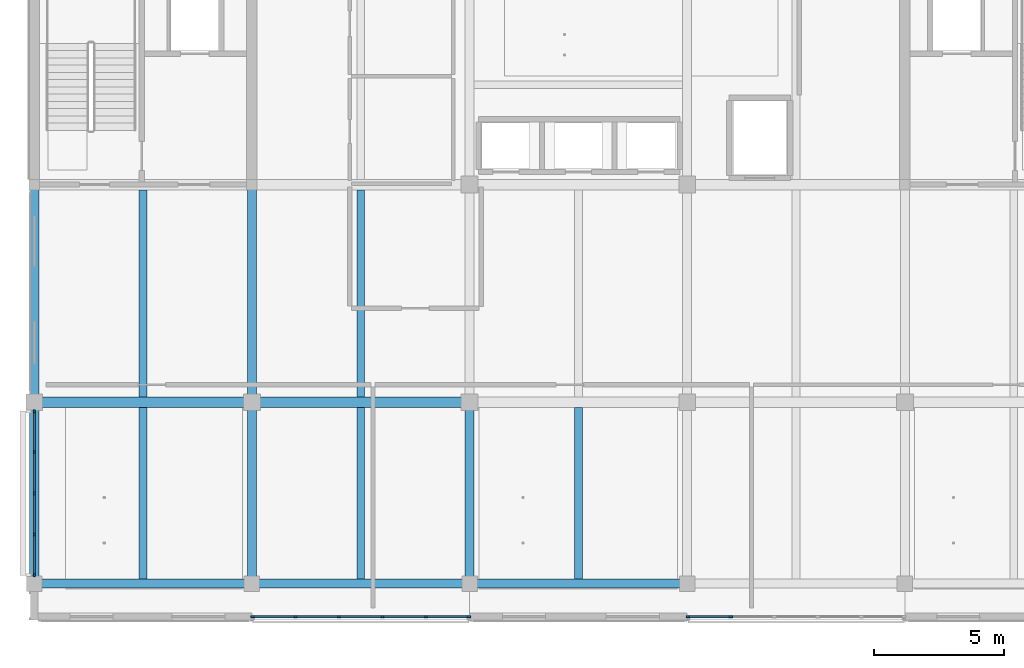
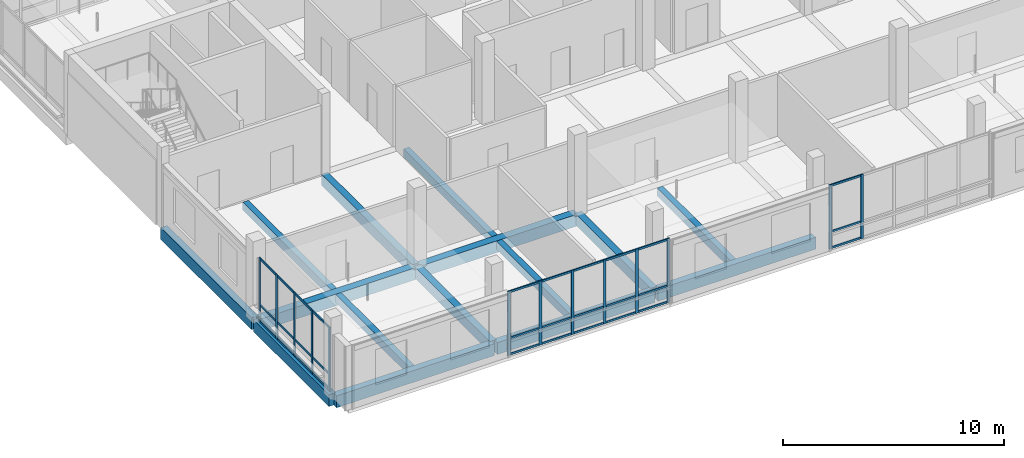
# One storey, part 2 of 29: 43 members, 15 beams, 3 elements without a shape of their own.
"""IFC4 building model written with IfcOpenShell, lengths in metres."""

from ifc_helpers import new_model, si_unit, direction, frame, origin, origin_2d, place, context, subcontext, project, spatial, rectangle, extrude, material, layer, layer_set, material_profile, profile_set, type_object, element, aggregate, save


model = new_model("IFC4")

# Units and contexts
model_context = context("Model", 3, precision=1e-05, world=origin(), true_north=direction((0.0, 1.0)))
body_context = subcontext(model_context, "Body", "Model", "MODEL_VIEW")
ifc_project = project(units=[si_unit("LENGTHUNIT", "METRE"), si_unit("AREAUNIT", "SQUARE_METRE"), si_unit("VOLUMEUNIT", "CUBIC_METRE"), si_unit("PLANEANGLEUNIT", "RADIAN"), si_unit("MASSUNIT", "GRAM", prefix="KILO")], contexts=[model_context])

# Site, building, storey
site_placement = place(None, origin())
site = spatial("IfcSite", under=ifc_project, at=site_placement, CompositionType="ELEMENT")
building_placement = place(site_placement, origin())
building = spatial("IfcBuilding", under=site, at=building_placement, Name="Telukmera Botanical Conservatory", CompositionType="ELEMENT")
storey_placement = place(building_placement, frame((0.0, 0.0, 55.5)))
storey = spatial("IfcBuildingStorey", under=building, at=storey_placement, Name="L12", CompositionType="ELEMENT", Elevation=55.5)

# Beams
ifc_material_1 = material(Name="Concrete C40/50", Category="concrete")
ifc_material_profile_1 = material_profile(ifc_material_1, rectangle(XDim=0.300048828125, YDim=0.449951171875, at=origin_2d()), Name="RC 300x450")
ifc_profile_set_1 = profile_set([ifc_material_profile_1], Name="Concrete C40/50")
beam_type_1 = type_object("IfcBeamType", Name="Beam_B25", PredefinedType="JOIST", material=ifc_profile_set_1)
beam_1_placement = place(storey_placement, frame((63.0, 10.77490234375, -0.22509765625), z_axis=(0.0, 1.0, 0.0), x_axis=(-1.0, 0.0, 0.0)))
element("IfcBeam", 1, at=beam_1_placement, inside=storey, type_object=beam_type_1, Name="Tower Secondary Floor Joist L12", PredefinedType="JOIST", context=body_context, shape_type="SweptSolid", body=[
    extrude(rectangle(XDim=0.300048828125, YDim=0.449951171875, at=origin_2d()), origin(), (0.0, 0.0, 1.0), 6.625),
])
beam_2_placement = place(storey_placement, frame((63.0, 17.800048828125, -0.22509765625), z_axis=(0.0, 1.0, 0.0), x_axis=(-1.0, 0.0, 0.0)))
element("IfcBeam", 2, at=beam_2_placement, inside=storey, type_object=beam_type_1, Name="Tower Secondary Floor Joist L12", PredefinedType="JOIST", context=body_context, shape_type="SweptSolid", body=[
    extrude(rectangle(XDim=0.300048828125, YDim=0.449951171875, at=origin_2d()), origin(), (0.0, 0.0, 1.0), 8.0),
])
beam_3_placement = place(storey_placement, frame((71.39990234375, 10.77490234375, -0.22509765625), z_axis=(0.0, 1.0, 0.0), x_axis=(-1.0, 0.0, 0.0)))
element("IfcBeam", 3, at=beam_3_placement, inside=storey, type_object=beam_type_1, Name="Tower Secondary Floor Joist L12", PredefinedType="JOIST", context=body_context, shape_type="SweptSolid", body=[
    extrude(rectangle(XDim=0.300048828125, YDim=0.449951171875, at=origin_2d()), origin(), (0.0, 0.0, 1.0), 6.625),
])
beam_4_placement = place(storey_placement, frame((71.39990234375, 17.800048828125, -0.22509765625), z_axis=(0.0, 1.0, 0.0), x_axis=(-1.0, 0.0, 0.0)))
element("IfcBeam", 4, at=beam_4_placement, inside=storey, type_object=beam_type_1, Name="Tower Secondary Floor Joist L12", PredefinedType="JOIST", context=body_context, shape_type="SweptSolid", body=[
    extrude(rectangle(XDim=0.300048828125, YDim=0.449951171875, at=origin_2d()), origin(), (0.0, 0.0, 1.0), 8.0),
])
beam_5_placement = place(storey_placement, frame((79.800048828125, 10.77490234375, -0.22509765625), z_axis=(0.0, 1.0, 0.0), x_axis=(-1.0, 0.0, 0.0)))
element("IfcBeam", 5, at=beam_5_placement, inside=storey, type_object=beam_type_1, Name="Tower Secondary Floor Joist L12", PredefinedType="JOIST", context=body_context, shape_type="SweptSolid", body=[
    extrude(rectangle(XDim=0.300048828125, YDim=0.449951171875, at=origin_2d()), origin(), (0.0, 0.0, 1.0), 6.625),
])
ifc_material_profile_2 = material_profile(ifc_material_1, rectangle(XDim=0.39990234375, YDim=0.64990234375, at=origin_2d()), Name="RC 400x650")
ifc_profile_set_2 = profile_set([ifc_material_profile_2], Name="Concrete C40/50")
beam_type_2 = type_object("IfcBeamType", Name="Beam_B8", PredefinedType="BEAM", material=ifc_profile_set_2)
beam_6_placement = place(storey_placement, frame((58.8798828125, 17.60009765625, -0.324951171875), z_axis=(1.0, 0.0, 0.0), x_axis=(0.0, 1.0, 0.0)))
element("IfcBeam", 6, at=beam_6_placement, inside=storey, type_object=beam_type_2, Name="Tower Grid Beam L12", PredefinedType="BEAM", context=body_context, shape_type="SweptSolid", body=[
    extrude(rectangle(XDim=0.39990234375, YDim=0.64990234375, at=origin_2d()), origin(), (0.0, 0.0, 1.0), 8.240234375),
])
beam_7_placement = place(storey_placement, frame((67.280029296875, 17.60009765625, -0.324951171875), z_axis=(1.0, 0.0, 0.0), x_axis=(0.0, 1.0, 0.0)))
element("IfcBeam", 7, at=beam_7_placement, inside=storey, type_object=beam_type_2, Name="Tower Grid Beam L12", PredefinedType="BEAM", context=body_context, shape_type="SweptSolid", body=[
    extrude(rectangle(XDim=0.39990234375, YDim=0.64990234375, at=origin_2d()), origin(), (0.0, 0.0, 1.0), 8.239990234375),
])
ifc_material_profile_3 = material_profile(ifc_material_1, rectangle(XDim=0.35009765625, YDim=0.60009765625, at=origin_2d()), Name="RC 350x600")
ifc_profile_set_3 = profile_set([ifc_material_profile_3], Name="Concrete C40/50")
beam_type_3 = type_object("IfcBeamType", Name="Beam_B9", PredefinedType="BEAM", material=ifc_profile_set_3)
beam_8_placement = place(storey_placement, frame((67.199951171875, 10.679931640625, -0.300048828125), z_axis=(0.0, 1.0, 0.0), x_axis=(-1.0, 0.0, 0.0)))
element("IfcBeam", 8, at=beam_8_placement, inside=storey, type_object=beam_type_3, Name="Tower Transverse Beam L12", PredefinedType="BEAM", context=body_context, shape_type="SweptSolid", body=[
    extrude(rectangle(XDim=0.35009765625, YDim=0.60009765625, at=origin_2d()), origin(), (0.0, 0.0, 1.0), 6.840087890625),
])
beam_9_placement = place(storey_placement, frame((67.199951171875, 17.679931640625, -0.300048828125), z_axis=(0.0, 1.0, 0.0), x_axis=(-1.0, 0.0, 0.0)))
element("IfcBeam", 9, at=beam_9_placement, inside=storey, type_object=beam_type_3, Name="Tower Transverse Beam L12", PredefinedType="BEAM", context=body_context, shape_type="SweptSolid", body=[
    extrude(rectangle(XDim=0.35009765625, YDim=0.60009765625, at=origin_2d()), origin(), (0.0, 0.0, 1.0), 8.239990234375),
])
beam_10_placement = place(storey_placement, frame((75.60009765625, 10.679931640625, -0.300048828125), z_axis=(0.0, 1.0, 0.0), x_axis=(-1.0, 0.0, 0.0)))
element("IfcBeam", 10, at=beam_10_placement, inside=storey, type_object=beam_type_3, Name="Tower Transverse Beam L12", PredefinedType="BEAM", context=body_context, shape_type="SweptSolid", body=[
    extrude(rectangle(XDim=0.35009765625, YDim=0.60009765625, at=origin_2d()), origin(), (0.0, 0.0, 1.0), 6.840087890625),
])
ifc_material_2 = material(Name="Precast concrete C40/50", Category="concrete")
ifc_material_profile_4 = material_profile(ifc_material_2, rectangle(XDim=0.35009765625, YDim=0.64990234375, at=origin_2d()), Name="PC 350x650")
ifc_profile_set_4 = profile_set([ifc_material_profile_4], Name="Precast concrete C40/50")
beam_type_4 = type_object("IfcBeamType", Name="Beam_SP3", PredefinedType="SPANDREL", material=ifc_profile_set_4)
beam_11_placement = place(storey_placement, frame((58.8798828125, 10.60009765625, -0.324951171875), z_axis=(1.0, 0.0, 0.0), x_axis=(0.0, 1.0, 0.0)))
element("IfcBeam", 11, at=beam_11_placement, inside=storey, type_object=beam_type_4, Name="Tower Grid Beam L12", PredefinedType="SPANDREL", context=body_context, shape_type="SweptSolid", body=[
    extrude(rectangle(XDim=0.35009765625, YDim=0.64990234375, at=origin_2d()), origin(), (0.0, 0.0, 1.0), 8.240234375),
])
for number, where, z_axis, x_axis, name in (
    (12, (67.280029296875, 10.60009765625, -0.324951171875), (1.0, 0.0, 0.0), (0.0, 1.0, 0.0), "Tower Grid Beam L12"),
    (13, (75.679931640625, 10.60009765625, -0.324951171875), (1.0, 0.0, 0.0), (0.0, 1.0, 0.0), "Tower Grid Beam L12"),
):
    element("IfcBeam", number, at=place(storey_placement, frame(where, z_axis=z_axis, x_axis=x_axis)), inside=storey, type_object=beam_type_4, Name=name, PredefinedType="SPANDREL", context=body_context, shape_type="SweptSolid", body=[
        extrude(rectangle(XDim=0.35009765625, YDim=0.64990234375, at=origin_2d()), origin(), (0.0, 0.0, 1.0), 8.239990234375),
    ])
beam_12_placement = place(storey_placement, frame((58.800048828125, 10.679931640625, -0.324951171875), z_axis=(0.0, 1.0, 0.0), x_axis=(-1.0, 0.0, 0.0)))
element("IfcBeam", 14, at=beam_12_placement, inside=storey, type_object=beam_type_4, Name="Tower Transverse Beam L12", PredefinedType="SPANDREL", context=body_context, shape_type="SweptSolid", body=[
    extrude(rectangle(XDim=0.35009765625, YDim=0.64990234375, at=origin_2d()), origin(), (0.0, 0.0, 1.0), 6.840087890625),
])
beam_13_placement = place(storey_placement, frame((58.800048828125, 17.679931640625, -0.324951171875), z_axis=(0.0, 1.0, 0.0), x_axis=(-1.0, 0.0, 0.0)))
element("IfcBeam", 15, at=beam_13_placement, inside=storey, type_object=beam_type_4, Name="Tower Transverse Beam L12", PredefinedType="SPANDREL", context=body_context, shape_type="SweptSolid", body=[
    extrude(rectangle(XDim=0.35009765625, YDim=0.64990234375, at=origin_2d()), origin(), (0.0, 0.0, 1.0), 8.239990234375),
])

# Curtain wall, members
ifc_material_3 = material(Name="Anodised aluminium 6063-T6", Category="aluminium")
ifc_layer = layer(ifc_material_3, 0.179931640625)
ifc_layer_set = layer_set([ifc_layer], Name="Anodised aluminium 6063-T6")
curtain_wall_type = type_object("IfcCurtainWallType", Name="Tower Research Laboratory Unitised Curtain Wall", PredefinedType="USERDEFINED", material=ifc_layer_set)
curtain_wall_1_placement = place(storey_placement, origin())
curtain_wall_1 = element("IfcCurtainWall", 16, at=curtain_wall_1_placement, inside=storey, type_object=curtain_wall_type, Name="Unitised Curtain Wall CW15 V4:L12:S2", ObjectType="UNITISED CURTAIN WALL", PredefinedType="USERDEFINED")
ifc_material_profile_5 = material_profile(ifc_material_3, rectangle(XDim=0.06005859375, YDim=0.139892578125, at=origin_2d()), Name="ALU MULL 60x140")
ifc_profile_set_5 = profile_set([ifc_material_profile_5], Name="Anodised aluminium 6063-T6")
member_type_1 = type_object("IfcMemberType", Name="Curtain Wall Extruded Mullion 60x140", PredefinedType="MULLION", material=ifc_profile_set_5)
member_1_placement = place(storey_placement, frame((67.23193359375, 9.320068359375, 0.0), z_axis=(0.0, 0.0, 1.0), x_axis=(0.0, 1.0, 0.0)))
member_1 = element("IfcMember", 17, at=member_1_placement, type_object=member_type_1, Name="CW15 mullion 1", PredefinedType="MULLION", context=body_context, shape_type="SweptSolid", body=[
    extrude(rectangle(XDim=0.06005859375, YDim=0.139892578125, at=origin_2d()), origin(), (0.0, 0.0, 1.0), 3.550048828125),
])
member_2_placement = place(storey_placement, frame((68.881103515625, 9.320068359375, 0.0), z_axis=(0.0, 0.0, 1.0), x_axis=(0.0, 1.0, 0.0)))
member_2 = element("IfcMember", 18, at=member_2_placement, type_object=member_type_1, Name="CW15 mullion 2", PredefinedType="MULLION", context=body_context, shape_type="SweptSolid", body=[
    extrude(rectangle(XDim=0.06005859375, YDim=0.139892578125, at=origin_2d()), origin(), (0.0, 0.0, 1.0), 3.550048828125),
])
member_3_placement = place(storey_placement, frame((70.560302734375, 9.320068359375, 0.0), z_axis=(0.0, 0.0, 1.0), x_axis=(0.0, 1.0, 0.0)))
member_3 = element("IfcMember", 19, at=member_3_placement, type_object=member_type_1, Name="CW15 mullion 3", PredefinedType="MULLION", context=body_context, shape_type="SweptSolid", body=[
    extrude(rectangle(XDim=0.06005859375, YDim=0.139892578125, at=origin_2d()), origin(), (0.0, 0.0, 1.0), 3.550048828125),
])
member_4_placement = place(storey_placement, frame((72.239501953125, 9.320068359375, 0.0), z_axis=(0.0, 0.0, 1.0), x_axis=(0.0, 1.0, 0.0)))
member_4 = element("IfcMember", 20, at=member_4_placement, type_object=member_type_1, Name="CW15 mullion 4", PredefinedType="MULLION", context=body_context, shape_type="SweptSolid", body=[
    extrude(rectangle(XDim=0.06005859375, YDim=0.139892578125, at=origin_2d()), origin(), (0.0, 0.0, 1.0), 3.550048828125),
])
member_5_placement = place(storey_placement, frame((73.918701171875, 9.320068359375, 0.0), z_axis=(0.0, 0.0, 1.0), x_axis=(0.0, 1.0, 0.0)))
member_5 = element("IfcMember", 21, at=member_5_placement, type_object=member_type_1, Name="CW15 mullion 5", PredefinedType="MULLION", context=body_context, shape_type="SweptSolid", body=[
    extrude(rectangle(XDim=0.06005859375, YDim=0.139892578125, at=origin_2d()), origin(), (0.0, 0.0, 1.0), 3.550048828125),
])
member_6_placement = place(storey_placement, frame((75.568115234375, 9.320068359375, 0.0), z_axis=(0.0, 0.0, 1.0), x_axis=(0.0, 1.0, 0.0)))
member_6 = element("IfcMember", 22, at=member_6_placement, type_object=member_type_1, Name="CW15 mullion 6", PredefinedType="MULLION", context=body_context, shape_type="SweptSolid", body=[
    extrude(rectangle(XDim=0.06005859375, YDim=0.139892578125, at=origin_2d()), origin(), (0.0, 0.0, 1.0), 3.550048828125),
])

curtain_wall_2_placement = place(storey_placement, origin())
curtain_wall_2 = element("IfcCurtainWall", 23, at=curtain_wall_2_placement, inside=storey, type_object=curtain_wall_type, Name="Unitised Curtain Wall CW15 V4:L12:S4", ObjectType="UNITISED CURTAIN WALL", PredefinedType="USERDEFINED")
member_7_placement = place(storey_placement, frame((84.031982421875, 9.320068359375, 0.0), z_axis=(0.0, 0.0, 1.0), x_axis=(0.0, 1.0, 0.0)))
member_7 = element("IfcMember", 24, at=member_7_placement, type_object=member_type_1, Name="CW15 mullion 1", PredefinedType="MULLION", context=body_context, shape_type="SweptSolid", body=[
    extrude(rectangle(XDim=0.06005859375, YDim=0.139892578125, at=origin_2d()), origin(), (0.0, 0.0, 1.0), 3.550048828125),
])
member_8_placement = place(storey_placement, frame((85.68115234375, 9.320068359375, 0.0), z_axis=(0.0, 0.0, 1.0), x_axis=(0.0, 1.0, 0.0)))
member_8 = element("IfcMember", 25, at=member_8_placement, type_object=member_type_1, Name="CW15 mullion 2", PredefinedType="MULLION", context=body_context, shape_type="SweptSolid", body=[
    extrude(rectangle(XDim=0.06005859375, YDim=0.139892578125, at=origin_2d()), origin(), (0.0, 0.0, 1.0), 3.550048828125),
])

curtain_wall_3_placement = place(storey_placement, origin())
curtain_wall_3 = element("IfcCurtainWall", 26, at=curtain_wall_3_placement, inside=storey, type_object=curtain_wall_type, Name="Unitised Curtain Wall CW15 V4:L12:W1", ObjectType="UNITISED CURTAIN WALL", PredefinedType="USERDEFINED")
member_9_placement = place(storey_placement, frame((58.800048828125, 10.931884765625, 0.0), z_axis=(0.0, 0.0, 1.0), x_axis=(-1.0, 0.0, 0.0)))
member_9 = element("IfcMember", 27, at=member_9_placement, type_object=member_type_1, Name="CW15 mullion 1", PredefinedType="MULLION", context=body_context, shape_type="SweptSolid", body=[
    extrude(rectangle(XDim=0.06005859375, YDim=0.139892578125, at=origin_2d()), origin(), (0.0, 0.0, 1.0), 3.550048828125),
])
member_10_placement = place(storey_placement, frame((58.800048828125, 12.49462890625, 0.0), z_axis=(0.0, 0.0, 1.0), x_axis=(-1.0, 0.0, 0.0)))
member_10 = element("IfcMember", 28, at=member_10_placement, type_object=member_type_1, Name="CW15 mullion 2", PredefinedType="MULLION", context=body_context, shape_type="SweptSolid", body=[
    extrude(rectangle(XDim=0.06005859375, YDim=0.139892578125, at=origin_2d()), origin(), (0.0, 0.0, 1.0), 3.550048828125),
])
member_11_placement = place(storey_placement, frame((58.800048828125, 14.08740234375, 0.0), z_axis=(0.0, 0.0, 1.0), x_axis=(-1.0, 0.0, 0.0)))
member_11 = element("IfcMember", 29, at=member_11_placement, type_object=member_type_1, Name="CW15 mullion 3", PredefinedType="MULLION", context=body_context, shape_type="SweptSolid", body=[
    extrude(rectangle(XDim=0.06005859375, YDim=0.139892578125, at=origin_2d()), origin(), (0.0, 0.0, 1.0), 3.550048828125),
])
member_12_placement = place(storey_placement, frame((58.800048828125, 15.68017578125, 0.0), z_axis=(0.0, 0.0, 1.0), x_axis=(-1.0, 0.0, 0.0)))
member_12 = element("IfcMember", 30, at=member_12_placement, type_object=member_type_1, Name="CW15 mullion 4", PredefinedType="MULLION", context=body_context, shape_type="SweptSolid", body=[
    extrude(rectangle(XDim=0.06005859375, YDim=0.139892578125, at=origin_2d()), origin(), (0.0, 0.0, 1.0), 3.550048828125),
])
member_13_placement = place(storey_placement, frame((58.800048828125, 17.242919921875, 0.0), z_axis=(0.0, 0.0, 1.0), x_axis=(-1.0, 0.0, 0.0)))
member_13 = element("IfcMember", 31, at=member_13_placement, type_object=member_type_1, Name="CW15 mullion 5", PredefinedType="MULLION", context=body_context, shape_type="SweptSolid", body=[
    extrude(rectangle(XDim=0.06005859375, YDim=0.139892578125, at=origin_2d()), origin(), (0.0, 0.0, 1.0), 3.550048828125),
])

# Member
ifc_material_profile_6 = material_profile(ifc_material_3, rectangle(XDim=0.06005859375, YDim=0.110107421875, at=origin_2d()), Name="ALU TRAN 60x110")
ifc_profile_set_6 = profile_set([ifc_material_profile_6], Name="Anodised aluminium 6063-T6")
member_type_2 = type_object("IfcMemberType", Name="Curtain Wall Extruded Transom 60x110", PredefinedType="USERDEFINED", material=ifc_profile_set_6)
member_14_placement = place(storey_placement, frame((67.261962890625, 9.320068359375, 0.054931640625), z_axis=(1.0, 0.0, 0.0), x_axis=(0.0, 1.0, 0.0)))
member_14 = element("IfcMember", 32, at=member_14_placement, type_object=member_type_2, Name="CW15 transom 1.1", ObjectType="TRANSOM", PredefinedType="USERDEFINED", context=body_context, shape_type="SweptSolid", body=[
    extrude(rectangle(XDim=0.06005859375, YDim=0.110107421875, at=origin_2d()), origin(), (0.0, 0.0, 1.0), 1.58935546875),
])

member_15_placement = place(storey_placement, frame((67.261962890625, 9.320068359375, 0.949951171875), z_axis=(1.0, 0.0, 0.0), x_axis=(0.0, 1.0, 0.0)))
member_15 = element("IfcMember", 33, at=member_15_placement, type_object=member_type_2, Name="CW15 transom 1.2", ObjectType="TRANSOM", PredefinedType="USERDEFINED", context=body_context, shape_type="SweptSolid", body=[
    extrude(rectangle(XDim=0.06005859375, YDim=0.110107421875, at=origin_2d()), origin(), (0.0, 0.0, 1.0), 1.58935546875),
])

member_16_placement = place(storey_placement, frame((67.261962890625, 9.320068359375, 3.4951171875), z_axis=(1.0, 0.0, 0.0), x_axis=(0.0, 1.0, 0.0)))
member_16 = element("IfcMember", 34, at=member_16_placement, type_object=member_type_2, Name="CW15 transom 1.3", ObjectType="TRANSOM", PredefinedType="USERDEFINED", context=body_context, shape_type="SweptSolid", body=[
    extrude(rectangle(XDim=0.06005859375, YDim=0.110107421875, at=origin_2d()), origin(), (0.0, 0.0, 1.0), 1.58935546875),
])

member_17_placement = place(storey_placement, frame((68.9111328125, 9.320068359375, 0.054931640625), z_axis=(1.0, 0.0, 0.0), x_axis=(0.0, 1.0, 0.0)))
member_17 = element("IfcMember", 35, at=member_17_placement, type_object=member_type_2, Name="CW15 transom 2.1", ObjectType="TRANSOM", PredefinedType="USERDEFINED", context=body_context, shape_type="SweptSolid", body=[
    extrude(rectangle(XDim=0.06005859375, YDim=0.110107421875, at=origin_2d()), origin(), (0.0, 0.0, 1.0), 1.619384765625),
])

member_18_placement = place(storey_placement, frame((68.9111328125, 9.320068359375, 0.949951171875), z_axis=(1.0, 0.0, 0.0), x_axis=(0.0, 1.0, 0.0)))
member_18 = element("IfcMember", 36, at=member_18_placement, type_object=member_type_2, Name="CW15 transom 2.2", ObjectType="TRANSOM", PredefinedType="USERDEFINED", context=body_context, shape_type="SweptSolid", body=[
    extrude(rectangle(XDim=0.06005859375, YDim=0.110107421875, at=origin_2d()), origin(), (0.0, 0.0, 1.0), 1.619384765625),
])

member_19_placement = place(storey_placement, frame((68.9111328125, 9.320068359375, 3.4951171875), z_axis=(1.0, 0.0, 0.0), x_axis=(0.0, 1.0, 0.0)))
member_19 = element("IfcMember", 37, at=member_19_placement, type_object=member_type_2, Name="CW15 transom 2.3", ObjectType="TRANSOM", PredefinedType="USERDEFINED", context=body_context, shape_type="SweptSolid", body=[
    extrude(rectangle(XDim=0.06005859375, YDim=0.110107421875, at=origin_2d()), origin(), (0.0, 0.0, 1.0), 1.619384765625),
])

member_20_placement = place(storey_placement, frame((70.59033203125, 9.320068359375, 0.054931640625), z_axis=(1.0, 0.0, 0.0), x_axis=(0.0, 1.0, 0.0)))
member_20 = element("IfcMember", 38, at=member_20_placement, type_object=member_type_2, Name="CW15 transom 3.1", ObjectType="TRANSOM", PredefinedType="USERDEFINED", context=body_context, shape_type="SweptSolid", body=[
    extrude(rectangle(XDim=0.06005859375, YDim=0.110107421875, at=origin_2d()), origin(), (0.0, 0.0, 1.0), 1.619384765625),
])

member_21_placement = place(storey_placement, frame((70.59033203125, 9.320068359375, 0.949951171875), z_axis=(1.0, 0.0, 0.0), x_axis=(0.0, 1.0, 0.0)))
member_21 = element("IfcMember", 39, at=member_21_placement, type_object=member_type_2, Name="CW15 transom 3.2", ObjectType="TRANSOM", PredefinedType="USERDEFINED", context=body_context, shape_type="SweptSolid", body=[
    extrude(rectangle(XDim=0.06005859375, YDim=0.110107421875, at=origin_2d()), origin(), (0.0, 0.0, 1.0), 1.619384765625),
])

member_22_placement = place(storey_placement, frame((70.59033203125, 9.320068359375, 3.4951171875), z_axis=(1.0, 0.0, 0.0), x_axis=(0.0, 1.0, 0.0)))
member_22 = element("IfcMember", 40, at=member_22_placement, type_object=member_type_2, Name="CW15 transom 3.3", ObjectType="TRANSOM", PredefinedType="USERDEFINED", context=body_context, shape_type="SweptSolid", body=[
    extrude(rectangle(XDim=0.06005859375, YDim=0.110107421875, at=origin_2d()), origin(), (0.0, 0.0, 1.0), 1.619384765625),
])

member_23_placement = place(storey_placement, frame((72.26953125, 9.320068359375, 0.054931640625), z_axis=(1.0, 0.0, 0.0), x_axis=(0.0, 1.0, 0.0)))
member_23 = element("IfcMember", 41, at=member_23_placement, type_object=member_type_2, Name="CW15 transom 4.1", ObjectType="TRANSOM", PredefinedType="USERDEFINED", context=body_context, shape_type="SweptSolid", body=[
    extrude(rectangle(XDim=0.06005859375, YDim=0.110107421875, at=origin_2d()), origin(), (0.0, 0.0, 1.0), 1.619384765625),
])

member_24_placement = place(storey_placement, frame((72.26953125, 9.320068359375, 0.949951171875), z_axis=(1.0, 0.0, 0.0), x_axis=(0.0, 1.0, 0.0)))
member_24 = element("IfcMember", 42, at=member_24_placement, type_object=member_type_2, Name="CW15 transom 4.2", ObjectType="TRANSOM", PredefinedType="USERDEFINED", context=body_context, shape_type="SweptSolid", body=[
    extrude(rectangle(XDim=0.06005859375, YDim=0.110107421875, at=origin_2d()), origin(), (0.0, 0.0, 1.0), 1.619384765625),
])

member_25_placement = place(storey_placement, frame((72.26953125, 9.320068359375, 3.4951171875), z_axis=(1.0, 0.0, 0.0), x_axis=(0.0, 1.0, 0.0)))
member_25 = element("IfcMember", 43, at=member_25_placement, type_object=member_type_2, Name="CW15 transom 4.3", ObjectType="TRANSOM", PredefinedType="USERDEFINED", context=body_context, shape_type="SweptSolid", body=[
    extrude(rectangle(XDim=0.06005859375, YDim=0.110107421875, at=origin_2d()), origin(), (0.0, 0.0, 1.0), 1.619384765625),
])

member_26_placement = place(storey_placement, frame((73.94873046875, 9.320068359375, 0.054931640625), z_axis=(1.0, 0.0, 0.0), x_axis=(0.0, 1.0, 0.0)))
member_26 = element("IfcMember", 44, at=member_26_placement, type_object=member_type_2, Name="CW15 transom 5.1", ObjectType="TRANSOM", PredefinedType="USERDEFINED", context=body_context, shape_type="SweptSolid", body=[
    extrude(rectangle(XDim=0.06005859375, YDim=0.110107421875, at=origin_2d()), origin(), (0.0, 0.0, 1.0), 1.58935546875),
])

member_27_placement = place(storey_placement, frame((73.94873046875, 9.320068359375, 0.949951171875), z_axis=(1.0, 0.0, 0.0), x_axis=(0.0, 1.0, 0.0)))
member_27 = element("IfcMember", 45, at=member_27_placement, type_object=member_type_2, Name="CW15 transom 5.2", ObjectType="TRANSOM", PredefinedType="USERDEFINED", context=body_context, shape_type="SweptSolid", body=[
    extrude(rectangle(XDim=0.06005859375, YDim=0.110107421875, at=origin_2d()), origin(), (0.0, 0.0, 1.0), 1.58935546875),
])

member_28_placement = place(storey_placement, frame((73.94873046875, 9.320068359375, 3.4951171875), z_axis=(1.0, 0.0, 0.0), x_axis=(0.0, 1.0, 0.0)))
member_28 = element("IfcMember", 46, at=member_28_placement, type_object=member_type_2, Name="CW15 transom 5.3", ObjectType="TRANSOM", PredefinedType="USERDEFINED", context=body_context, shape_type="SweptSolid", body=[
    extrude(rectangle(XDim=0.06005859375, YDim=0.110107421875, at=origin_2d()), origin(), (0.0, 0.0, 1.0), 1.58935546875),
])

aggregate(curtain_wall_1, [member_1, member_2, member_3, member_4, member_5, member_6, member_14, member_15, member_16, member_17, member_18, member_19, member_20, member_21, member_22, member_23, member_24, member_25, member_26, member_27, member_28])

member_29_placement = place(storey_placement, frame((84.06201171875, 9.320068359375, 0.054931640625), z_axis=(1.0, 0.0, 0.0), x_axis=(0.0, 1.0, 0.0)))
member_29 = element("IfcMember", 47, at=member_29_placement, type_object=member_type_2, Name="CW15 transom 1.1", ObjectType="TRANSOM", PredefinedType="USERDEFINED", context=body_context, shape_type="SweptSolid", body=[
    extrude(rectangle(XDim=0.06005859375, YDim=0.110107421875, at=origin_2d()), origin(), (0.0, 0.0, 1.0), 1.589111328125),
])

member_30_placement = place(storey_placement, frame((84.06201171875, 9.320068359375, 0.949951171875), z_axis=(1.0, 0.0, 0.0), x_axis=(0.0, 1.0, 0.0)))
member_30 = element("IfcMember", 48, at=member_30_placement, type_object=member_type_2, Name="CW15 transom 1.2", ObjectType="TRANSOM", PredefinedType="USERDEFINED", context=body_context, shape_type="SweptSolid", body=[
    extrude(rectangle(XDim=0.06005859375, YDim=0.110107421875, at=origin_2d()), origin(), (0.0, 0.0, 1.0), 1.589111328125),
])

member_31_placement = place(storey_placement, frame((84.06201171875, 9.320068359375, 3.4951171875), z_axis=(1.0, 0.0, 0.0), x_axis=(0.0, 1.0, 0.0)))
member_31 = element("IfcMember", 49, at=member_31_placement, type_object=member_type_2, Name="CW15 transom 1.3", ObjectType="TRANSOM", PredefinedType="USERDEFINED", context=body_context, shape_type="SweptSolid", body=[
    extrude(rectangle(XDim=0.06005859375, YDim=0.110107421875, at=origin_2d()), origin(), (0.0, 0.0, 1.0), 1.589111328125),
])

aggregate(curtain_wall_2, [member_7, member_8, member_29, member_30, member_31])

member_32_placement = place(storey_placement, frame((58.800048828125, 10.9619140625, 0.054931640625), z_axis=(0.0, 1.0, 0.0), x_axis=(-1.0, 0.0, 0.0)))
member_32 = element("IfcMember", 50, at=member_32_placement, type_object=member_type_2, Name="CW15 transom 1.1", ObjectType="TRANSOM", PredefinedType="USERDEFINED", context=body_context, shape_type="SweptSolid", body=[
    extrude(rectangle(XDim=0.06005859375, YDim=0.110107421875, at=origin_2d()), origin(), (0.0, 0.0, 1.0), 1.5029296875),
])

member_33_placement = place(storey_placement, frame((58.800048828125, 10.9619140625, 0.949951171875), z_axis=(0.0, 1.0, 0.0), x_axis=(-1.0, 0.0, 0.0)))
member_33 = element("IfcMember", 51, at=member_33_placement, type_object=member_type_2, Name="CW15 transom 1.2", ObjectType="TRANSOM", PredefinedType="USERDEFINED", context=body_context, shape_type="SweptSolid", body=[
    extrude(rectangle(XDim=0.06005859375, YDim=0.110107421875, at=origin_2d()), origin(), (0.0, 0.0, 1.0), 1.5029296875),
])

member_34_placement = place(storey_placement, frame((58.800048828125, 10.9619140625, 3.4951171875), z_axis=(0.0, 1.0, 0.0), x_axis=(-1.0, 0.0, 0.0)))
member_34 = element("IfcMember", 52, at=member_34_placement, type_object=member_type_2, Name="CW15 transom 1.3", ObjectType="TRANSOM", PredefinedType="USERDEFINED", context=body_context, shape_type="SweptSolid", body=[
    extrude(rectangle(XDim=0.06005859375, YDim=0.110107421875, at=origin_2d()), origin(), (0.0, 0.0, 1.0), 1.5029296875),
])

member_35_placement = place(storey_placement, frame((58.800048828125, 12.524658203125, 0.054931640625), z_axis=(0.0, 1.0, 0.0), x_axis=(-1.0, 0.0, 0.0)))
member_35 = element("IfcMember", 53, at=member_35_placement, type_object=member_type_2, Name="CW15 transom 2.1", ObjectType="TRANSOM", PredefinedType="USERDEFINED", context=body_context, shape_type="SweptSolid", body=[
    extrude(rectangle(XDim=0.06005859375, YDim=0.110107421875, at=origin_2d()), origin(), (0.0, 0.0, 1.0), 1.532958984375),
])

member_36_placement = place(storey_placement, frame((58.800048828125, 12.524658203125, 0.949951171875), z_axis=(0.0, 1.0, 0.0), x_axis=(-1.0, 0.0, 0.0)))
member_36 = element("IfcMember", 54, at=member_36_placement, type_object=member_type_2, Name="CW15 transom 2.2", ObjectType="TRANSOM", PredefinedType="USERDEFINED", context=body_context, shape_type="SweptSolid", body=[
    extrude(rectangle(XDim=0.06005859375, YDim=0.110107421875, at=origin_2d()), origin(), (0.0, 0.0, 1.0), 1.532958984375),
])

member_37_placement = place(storey_placement, frame((58.800048828125, 12.524658203125, 3.4951171875), z_axis=(0.0, 1.0, 0.0), x_axis=(-1.0, 0.0, 0.0)))
member_37 = element("IfcMember", 55, at=member_37_placement, type_object=member_type_2, Name="CW15 transom 2.3", ObjectType="TRANSOM", PredefinedType="USERDEFINED", context=body_context, shape_type="SweptSolid", body=[
    extrude(rectangle(XDim=0.06005859375, YDim=0.110107421875, at=origin_2d()), origin(), (0.0, 0.0, 1.0), 1.532958984375),
])

member_38_placement = place(storey_placement, frame((58.800048828125, 14.117431640625, 0.054931640625), z_axis=(0.0, 1.0, 0.0), x_axis=(-1.0, 0.0, 0.0)))
member_38 = element("IfcMember", 56, at=member_38_placement, type_object=member_type_2, Name="CW15 transom 3.1", ObjectType="TRANSOM", PredefinedType="USERDEFINED", context=body_context, shape_type="SweptSolid", body=[
    extrude(rectangle(XDim=0.06005859375, YDim=0.110107421875, at=origin_2d()), origin(), (0.0, 0.0, 1.0), 1.53271484375),
])

member_39_placement = place(storey_placement, frame((58.800048828125, 14.117431640625, 0.949951171875), z_axis=(0.0, 1.0, 0.0), x_axis=(-1.0, 0.0, 0.0)))
member_39 = element("IfcMember", 57, at=member_39_placement, type_object=member_type_2, Name="CW15 transom 3.2", ObjectType="TRANSOM", PredefinedType="USERDEFINED", context=body_context, shape_type="SweptSolid", body=[
    extrude(rectangle(XDim=0.06005859375, YDim=0.110107421875, at=origin_2d()), origin(), (0.0, 0.0, 1.0), 1.53271484375),
])

member_40_placement = place(storey_placement, frame((58.800048828125, 14.117431640625, 3.4951171875), z_axis=(0.0, 1.0, 0.0), x_axis=(-1.0, 0.0, 0.0)))
member_40 = element("IfcMember", 58, at=member_40_placement, type_object=member_type_2, Name="CW15 transom 3.3", ObjectType="TRANSOM", PredefinedType="USERDEFINED", context=body_context, shape_type="SweptSolid", body=[
    extrude(rectangle(XDim=0.06005859375, YDim=0.110107421875, at=origin_2d()), origin(), (0.0, 0.0, 1.0), 1.53271484375),
])

member_41_placement = place(storey_placement, frame((58.800048828125, 15.710205078125, 0.054931640625), z_axis=(0.0, 1.0, 0.0), x_axis=(-1.0, 0.0, 0.0)))
member_41 = element("IfcMember", 59, at=member_41_placement, type_object=member_type_2, Name="CW15 transom 4.1", ObjectType="TRANSOM", PredefinedType="USERDEFINED", context=body_context, shape_type="SweptSolid", body=[
    extrude(rectangle(XDim=0.06005859375, YDim=0.110107421875, at=origin_2d()), origin(), (0.0, 0.0, 1.0), 1.502685546875),
])

member_42_placement = place(storey_placement, frame((58.800048828125, 15.710205078125, 0.949951171875), z_axis=(0.0, 1.0, 0.0), x_axis=(-1.0, 0.0, 0.0)))
member_42 = element("IfcMember", 60, at=member_42_placement, type_object=member_type_2, Name="CW15 transom 4.2", ObjectType="TRANSOM", PredefinedType="USERDEFINED", context=body_context, shape_type="SweptSolid", body=[
    extrude(rectangle(XDim=0.06005859375, YDim=0.110107421875, at=origin_2d()), origin(), (0.0, 0.0, 1.0), 1.502685546875),
])

member_43_placement = place(storey_placement, frame((58.800048828125, 15.710205078125, 3.4951171875), z_axis=(0.0, 1.0, 0.0), x_axis=(-1.0, 0.0, 0.0)))
member_43 = element("IfcMember", 61, at=member_43_placement, type_object=member_type_2, Name="CW15 transom 4.3", ObjectType="TRANSOM", PredefinedType="USERDEFINED", context=body_context, shape_type="SweptSolid", body=[
    extrude(rectangle(XDim=0.06005859375, YDim=0.110107421875, at=origin_2d()), origin(), (0.0, 0.0, 1.0), 1.502685546875),
])

aggregate(curtain_wall_3, [member_9, member_10, member_11, member_12, member_13, member_32, member_33, member_34, member_35, member_36, member_37, member_38, member_39, member_40, member_41, member_42, member_43])

save(model, "model.ifc")
